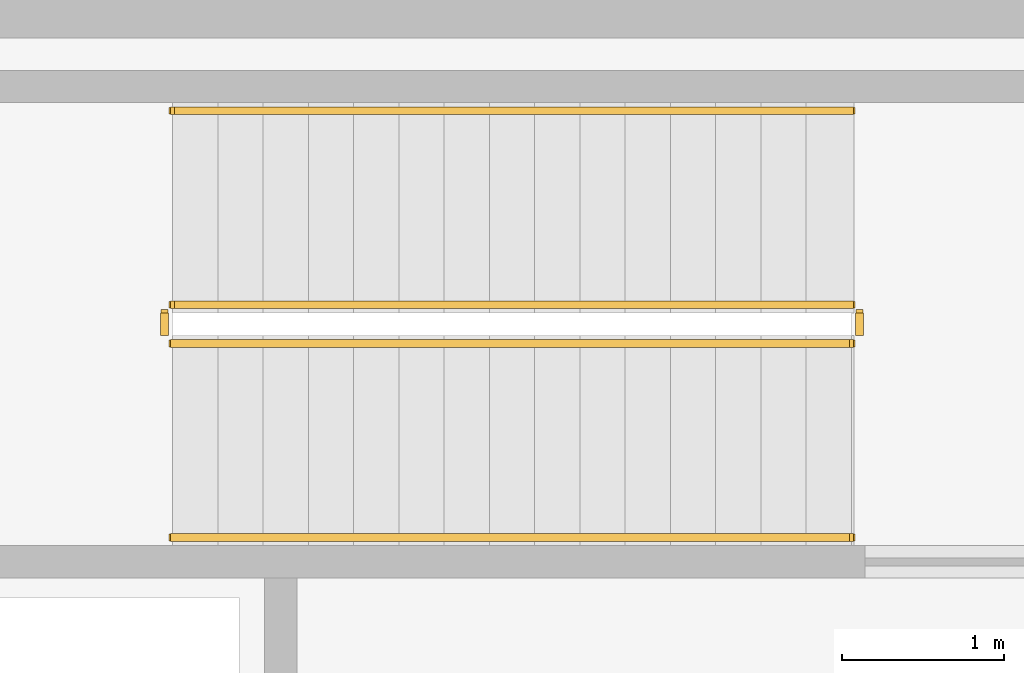
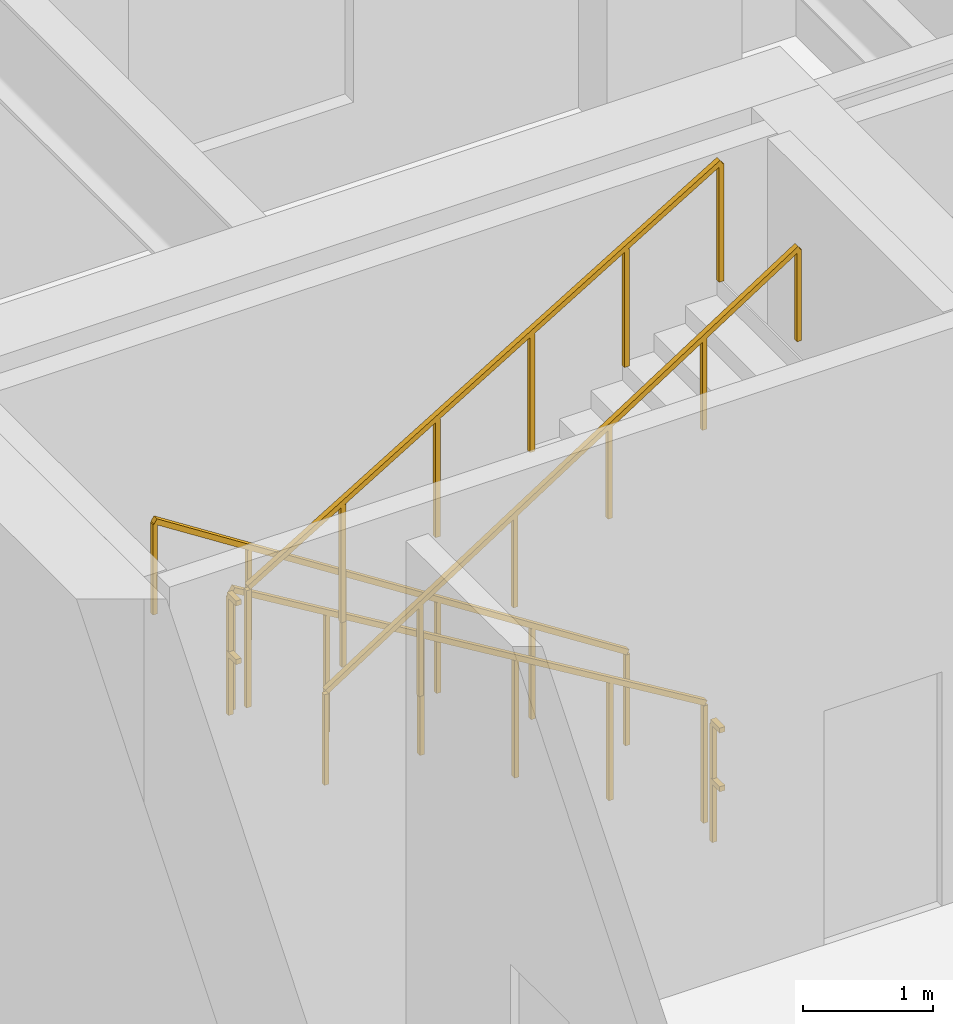
# One storey, part 18 of 19: 6 railings.
"""IFC4 building model written with IfcOpenShell, lengths in metres."""

from ifc_helpers import new_model, si_unit, derived_unit, direction, frame, origin, origin_2d, place, context, subcontext, project, spatial, rectangle, extrude, material, type_object, element, save


model = new_model("IFC4")

# Units and contexts
model_context = context("Model", 3, precision=1e-05, world=origin(), true_north=direction((0.0, 1.0)))
body_context = subcontext(model_context, "Body", "Model", "MODEL_VIEW")
ifc_project = project(units=[si_unit("LENGTHUNIT", "METRE"), si_unit("AREAUNIT", "SQUARE_METRE"), si_unit("VOLUMEUNIT", "CUBIC_METRE"), si_unit("PLANEANGLEUNIT", "RADIAN"), si_unit("MASSUNIT", "GRAM", prefix="KILO"), si_unit("THERMODYNAMICTEMPERATUREUNIT", "KELVIN"), si_unit("POWERUNIT", "WATT"), derived_unit("THERMALTRANSMITTANCEUNIT", [(si_unit("POWERUNIT", "WATT"), 1), (si_unit("AREAUNIT", "SQUARE_METRE"), -1), (si_unit("THERMODYNAMICTEMPERATUREUNIT", "KELVIN"), -1)])], contexts=[model_context])

# Site, building, storey
site_placement = place(None, origin())
site = spatial("IfcSite", under=ifc_project, at=site_placement, CompositionType="ELEMENT")
building_placement = place(site_placement, origin())
building = spatial("IfcBuilding", under=site, at=building_placement, Name="Zahravan Archway Hotel and Residences", CompositionType="ELEMENT")
storey_placement = place(building_placement, frame((0.0, 0.0, 21.60009765625)))
storey = spatial("IfcBuildingStorey", under=building, at=storey_placement, Name="L04", CompositionType="ELEMENT", Elevation=21.60009765625)

# Railings
ifc_material_1 = material(Name="Painted Tubular Steel", Category="steel")
railing_type_1 = type_object("IfcRailingType", Name="RL-STG-1150", PredefinedType="GUARDRAIL", material=ifc_material_1)
railing_1_placement = place(storey_placement, frame((9.72998046875, 37.64990234375, 0.168701171875)))
element("IfcRailing", 1, at=railing_1_placement, inside=storey, type_object=railing_type_1, Name="L04 ST-B2 stair guard 1", PredefinedType="GUARDRAIL", context=body_context, shape_type="SweptSolid", body=[
    extrude(rectangle(XDim=0.048095703125, YDim=0.048095703125, at=origin_2d()), frame((0.0, 0.0, 1.1259765625), z_axis=(-0.856476492594, 0.0, 0.516186030065), x_axis=(0.0, -1.0, 0.0)), (0.0, 0.0, 1.0), 4.90380859375),
    extrude(rectangle(XDim=0.0419921875, YDim=0.0419921875, at=origin_2d()), origin(), (0.0, 0.0, 1.0), 1.101806640625),
    extrude(rectangle(XDim=0.0419921875, YDim=0.0419921875, at=origin_2d()), frame((-0.840087890625, 0.0, 0.50634765625)), (0.0, 0.0, 1.0), 1.101806640625),
    extrude(rectangle(XDim=0.0419921875, YDim=0.0419921875, at=origin_2d()), frame((-1.679931640625, 0.0, 1.012451171875)), (0.0, 0.0, 1.0), 1.101806640625),
    extrude(rectangle(XDim=0.0419921875, YDim=0.0419921875, at=origin_2d()), frame((-2.52001953125, 0.0, 1.518798828125)), (0.0, 0.0, 1.0), 1.101806640625),
    extrude(rectangle(XDim=0.0419921875, YDim=0.0419921875, at=origin_2d()), frame((-3.35986328125, 0.0, 2.02490234375)), (0.0, 0.0, 1.0), 1.101806640625),
    extrude(rectangle(XDim=0.0419921875, YDim=0.0419921875, at=origin_2d()), frame((-4.199951171875, 0.0, 2.53125)), (0.0, 0.0, 1.0), 1.101806640625),
])
railing_2_placement = place(storey_placement, frame((5.47998046875, 37.60009765625, 2.699951171875)))
element("IfcRailing", 2, at=railing_2_placement, inside=storey, type_object=railing_type_1, Name="L04 ST-B2 stair guard 2", PredefinedType="GUARDRAIL", context=body_context, shape_type="SweptSolid", body=[
    extrude(rectangle(XDim=0.048095703125, YDim=0.048095703125, at=origin_2d()), frame((0.0, 0.0, 1.1259765625), z_axis=(0.0, -1.0, 0.0), x_axis=(1.0, 0.0, 0.0)), (0.0, 0.0, 1.0), 0.14013671875),
    extrude(rectangle(XDim=0.048095703125, YDim=0.048095703125, at=origin_2d()), frame((0.0, 0.0, 0.574951171875), z_axis=(0.0, -1.0, 0.0), x_axis=(1.0, 0.0, 0.0)), (0.0, 0.0, 1.0), 0.14013671875),
    extrude(rectangle(XDim=0.0419921875, YDim=0.0419921875, at=origin_2d()), origin(), (0.0, 0.0, 1.0), 1.101806640625),
])
railing_3_placement = place(storey_placement, frame((5.530029296875, 37.409912109375, 2.86865234375)))
element("IfcRailing", 3, at=railing_3_placement, inside=storey, type_object=railing_type_1, Name="L04 ST-B2 stair guard 3", PredefinedType="GUARDRAIL", context=body_context, shape_type="SweptSolid", body=[
    extrude(rectangle(XDim=0.048095703125, YDim=0.048095703125, at=origin_2d()), frame((0.0, 0.0, 1.1259765625), z_axis=(0.856476492594, 0.0, 0.516186030065), x_axis=(0.0, 1.0, 0.0)), (0.0, 0.0, 1.0), 4.90380859375),
    extrude(rectangle(XDim=0.0419921875, YDim=0.0419921875, at=origin_2d()), origin(), (0.0, 0.0, 1.0), 1.101806640625),
    extrude(rectangle(XDim=0.0419921875, YDim=0.0419921875, at=origin_2d()), frame((0.840087890625, 0.0, 0.50634765625)), (0.0, 0.0, 1.0), 1.101806640625),
    extrude(rectangle(XDim=0.0419921875, YDim=0.0419921875, at=origin_2d()), frame((1.679931640625, 0.0, 1.012451171875)), (0.0, 0.0, 1.0), 1.101806640625),
    extrude(rectangle(XDim=0.0419921875, YDim=0.0419921875, at=origin_2d()), frame((2.52001953125, 0.0, 1.518798828125)), (0.0, 0.0, 1.0), 1.101806640625),
    extrude(rectangle(XDim=0.0419921875, YDim=0.0419921875, at=origin_2d()), frame((3.35986328125, 0.0, 2.02490234375)), (0.0, 0.0, 1.0), 1.101806640625),
    extrude(rectangle(XDim=0.0419921875, YDim=0.0419921875, at=origin_2d()), frame((4.199951171875, 0.0, 2.53125)), (0.0, 0.0, 1.0), 1.101806640625),
])
railing_4_placement = place(storey_placement, frame((9.780029296875, 37.60009765625, 0.0)))
element("IfcRailing", 4, at=railing_4_placement, inside=storey, type_object=railing_type_1, Name="L04 ST-B2 stair guard 4", PredefinedType="GUARDRAIL", context=body_context, shape_type="SweptSolid", body=[
    extrude(rectangle(XDim=0.048095703125, YDim=0.048095703125, at=origin_2d()), frame((0.0, 0.0, 1.1259765625), z_axis=(0.0, -1.0, 0.0), x_axis=(1.0, 0.0, 0.0)), (0.0, 0.0, 1.0), 0.14013671875),
    extrude(rectangle(XDim=0.048095703125, YDim=0.048095703125, at=origin_2d()), frame((0.0, 0.0, 0.574951171875), z_axis=(0.0, -1.0, 0.0), x_axis=(1.0, 0.0, 0.0)), (0.0, 0.0, 1.0), 0.14013671875),
    extrude(rectangle(XDim=0.0419921875, YDim=0.0419921875, at=origin_2d()), origin(), (0.0, 0.0, 1.0), 1.101806640625),
])
ifc_material_2 = material(Name="Brushed Stainless Steel", Category="steel")
railing_type_2 = type_object("IfcRailingType", Name="RL-STH-900", PredefinedType="HANDRAIL", material=ifc_material_2)
railing_5_placement = place(storey_placement, frame((9.72998046875, 38.85009765625, 0.168701171875)))
element("IfcRailing", 5, at=railing_5_placement, inside=storey, type_object=railing_type_2, Name="L04 ST-B2 stair handrail 1", PredefinedType="HANDRAIL", context=body_context, shape_type="SweptSolid", body=[
    extrude(rectangle(XDim=0.048095703125, YDim=0.048095703125, at=origin_2d()), frame((0.0, 0.0, 0.8759765625), z_axis=(-0.841180064094, 0.0, 0.540755119968), x_axis=(0.0, -1.0, 0.0)), (0.0, 0.0, 1.0), 4.992919921875),
    extrude(rectangle(XDim=0.0419921875, YDim=0.0419921875, at=origin_2d()), origin(), (0.0, 0.0, 1.0), 0.851806640625),
    extrude(rectangle(XDim=0.0419921875, YDim=0.0419921875, at=origin_2d()), frame((-0.840087890625, 0.0, 0.5400390625)), (0.0, 0.0, 1.0), 0.851806640625),
    extrude(rectangle(XDim=0.0419921875, YDim=0.0419921875, at=origin_2d()), frame((-1.679931640625, 0.0, 1.080078125)), (0.0, 0.0, 1.0), 0.851806640625),
    extrude(rectangle(XDim=0.0419921875, YDim=0.0419921875, at=origin_2d()), frame((-2.52001953125, 0.0, 1.619873046875)), (0.0, 0.0, 1.0), 0.851806640625),
    extrude(rectangle(XDim=0.0419921875, YDim=0.0419921875, at=origin_2d()), frame((-3.35986328125, 0.0, 2.159912109375)), (0.0, 0.0, 1.0), 0.851806640625),
    extrude(rectangle(XDim=0.0419921875, YDim=0.0419921875, at=origin_2d()), frame((-4.199951171875, 0.0, 2.699951171875)), (0.0, 0.0, 1.0), 0.851806640625),
])
railing_6_placement = place(storey_placement, frame((5.530029296875, 36.2099609375, 2.86865234375)))
element("IfcRailing", 6, at=railing_6_placement, inside=storey, type_object=railing_type_2, Name="L04 ST-B2 stair handrail 2", PredefinedType="HANDRAIL", context=body_context, shape_type="SweptSolid", body=[
    extrude(rectangle(XDim=0.048095703125, YDim=0.048095703125, at=origin_2d()), frame((0.0, 0.0, 0.8759765625), z_axis=(0.841180064094, 0.0, 0.540755119968), x_axis=(0.0, 1.0, 0.0)), (0.0, 0.0, 1.0), 4.992919921875),
    extrude(rectangle(XDim=0.0419921875, YDim=0.0419921875, at=origin_2d()), origin(), (0.0, 0.0, 1.0), 0.851806640625),
    extrude(rectangle(XDim=0.0419921875, YDim=0.0419921875, at=origin_2d()), frame((0.840087890625, 0.0, 0.5400390625)), (0.0, 0.0, 1.0), 0.851806640625),
    extrude(rectangle(XDim=0.0419921875, YDim=0.0419921875, at=origin_2d()), frame((1.679931640625, 0.0, 1.080078125)), (0.0, 0.0, 1.0), 0.851806640625),
    extrude(rectangle(XDim=0.0419921875, YDim=0.0419921875, at=origin_2d()), frame((2.52001953125, 0.0, 1.619873046875)), (0.0, 0.0, 1.0), 0.851806640625),
    extrude(rectangle(XDim=0.0419921875, YDim=0.0419921875, at=origin_2d()), frame((3.35986328125, 0.0, 2.159912109375)), (0.0, 0.0, 1.0), 0.851806640625),
    extrude(rectangle(XDim=0.0419921875, YDim=0.0419921875, at=origin_2d()), frame((4.199951171875, 0.0, 2.699951171875)), (0.0, 0.0, 1.0), 0.851806640625),
])

save(model, "model.ifc")
